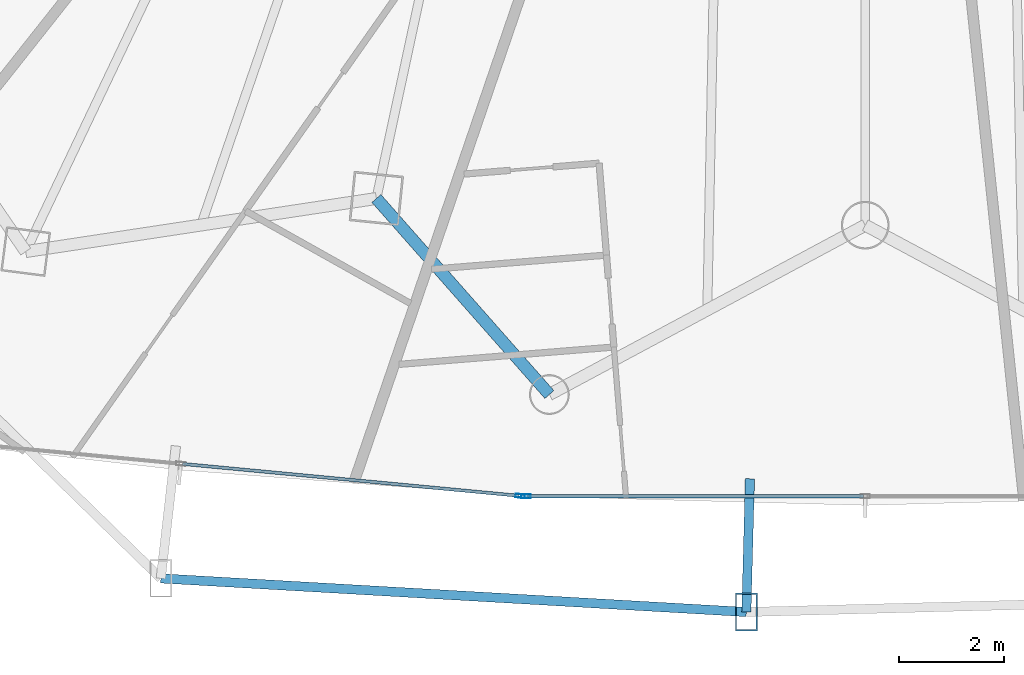
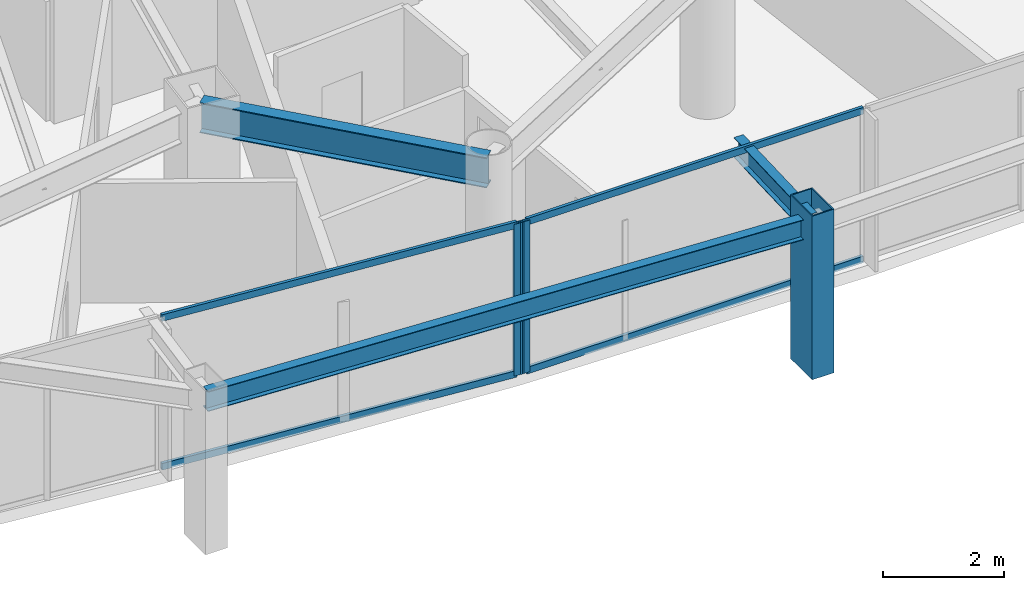
# One storey, part 6 of 37: 7 members, 3 beams, 2 elements without a shape of their own.
"""IFC4 building model written with IfcOpenShell, lengths in metres."""

from ifc_helpers import new_model, si_unit, direction, frame, origin, origin_2d, place, context, subcontext, project, spatial, hollow_rectangle, i_section, extrude, material, layer, layer_set, material_profile, profile_set, type_object, element, aggregate, save


model = new_model("IFC4")

# Units and contexts
model_context = context("Model", 3, precision=1e-05, world=origin(), true_north=direction((0.0, 1.0)))
body_context = subcontext(model_context, "Body", "Model", "MODEL_VIEW")
ifc_project = project(units=[si_unit("LENGTHUNIT", "METRE"), si_unit("AREAUNIT", "SQUARE_METRE"), si_unit("VOLUMEUNIT", "CUBIC_METRE"), si_unit("PLANEANGLEUNIT", "RADIAN"), si_unit("MASSUNIT", "GRAM", prefix="KILO")], contexts=[model_context])

# Site, building, storey
site_placement = place(None, origin())
site = spatial("IfcSite", under=ifc_project, at=site_placement, CompositionType="ELEMENT")
building_placement = place(site_placement, origin())
building = spatial("IfcBuilding", under=site, at=building_placement, Name="Orvanel Arch Residences", CompositionType="ELEMENT")
storey_placement = place(building_placement, frame((0.0, 0.0, 53.300048828125)))
storey = spatial("IfcBuildingStorey", under=building, at=storey_placement, Name="L14", CompositionType="ELEMENT", Elevation=53.300048828125)

# Member
ifc_material_1 = material(Name="Structural steel AS/NZS 3678 Grade 350", Category="steel")
ifc_material_profile_1 = material_profile(ifc_material_1, hollow_rectangle(XDim=0.419921875, YDim=0.719970703125, WallThickness=0.02490234375, at=origin_2d()), Name="RHS720x420x25")
ifc_profile_set_1 = profile_set([ifc_material_profile_1], Name="Structural steel AS/NZS 3678 Grade 350")
member_type_1 = type_object("IfcMemberType", Name="CH-720RHS-EXT", PredefinedType="CHORD", material=ifc_profile_set_1)
member_1_placement = place(storey_placement, frame((30.72607421875, -0.554931640625, 0.0), z_axis=(0.0, 0.0, 1.0), x_axis=(1.0, 0.0, 0.0)))
element("IfcMember", 1, at=member_1_placement, inside=storey, type_object=member_type_1, Name="L14 Outer Perimeter Frame Post 06", PredefinedType="CHORD", context=body_context, shape_type="SweptSolid", body=[
    extrude(hollow_rectangle(XDim=0.419921875, YDim=0.719970703125, WallThickness=0.02490234375, at=origin_2d()), origin(), (0.0, 0.0, 1.0), 3.300048828125),
])

# Curtain wall, member
ifc_material_2 = material(Name="Bronze-anodised aluminium AA6063-T6", Category="aluminium")
ifc_layer = layer(ifc_material_2, 0.179931640625)
ifc_layer_set = layer_set([ifc_layer], Name="Bronze-anodised aluminium AA6063-T6")
curtain_wall_type = type_object("IfcCurtainWallType", Name="CW2-LOW-SYS", PredefinedType="NOTDEFINED", material=ifc_layer_set)
curtain_wall_1_placement = place(storey_placement, origin())
curtain_wall_1 = element("IfcCurtainWall", 2, at=curtain_wall_1_placement, inside=storey, type_object=curtain_wall_type, Name="L14 CW2-LOW-SYS Unitised Curtain Wall", PredefinedType="NOTDEFINED")
ifc_material_profile_2 = material_profile(ifc_material_2, hollow_rectangle(XDim=0.070068359375, YDim=0.179931640625, WallThickness=0.00439453125, at=origin_2d()), Name="ALU180x70x4.5")
ifc_profile_set_2 = profile_set([ifc_material_profile_2], Name="Bronze-anodised aluminium AA6063-T6")
member_type_2 = type_object("IfcMemberType", Name="MUL-180x70", PredefinedType="MULLION", material=ifc_profile_set_2)
member_2_placement = place(storey_placement, frame((26.400146484375, 1.665283203125, 0.0), z_axis=(0.0, 0.0, 1.0), x_axis=(0.094434713682, 0.995531056699, 0.0)))
member_2 = element("IfcMember", 3, at=member_2_placement, type_object=member_type_2, Name="CW-S2 mullion 3", PredefinedType="MULLION", context=body_context, shape_type="SweptSolid", body=[
    extrude(hollow_rectangle(XDim=0.070068359375, YDim=0.179931640625, WallThickness=0.00439453125, at=origin_2d()), origin(), (0.0, 0.0, 1.0), 3.06005859375),
])

curtain_wall_2_placement = place(storey_placement, origin())
curtain_wall_2 = element("IfcCurtainWall", 4, at=curtain_wall_2_placement, inside=storey, type_object=curtain_wall_type, Name="L14 CW2-LOW-SYS Unitised Curtain Wall", PredefinedType="NOTDEFINED")
member_3_placement = place(storey_placement, frame((26.510009765625, 1.659912109375, 0.0), z_axis=(0.0, 0.0, 1.0), x_axis=(0.0, 1.0, 0.0)))
member_3 = element("IfcMember", 5, at=member_3_placement, type_object=member_type_2, Name="CW-S2 mullion 1", PredefinedType="MULLION", context=body_context, shape_type="SweptSolid", body=[
    extrude(hollow_rectangle(XDim=0.070068359375, YDim=0.179931640625, WallThickness=0.00439453125, at=origin_2d()), origin(), (0.0, 0.0, 1.0), 3.06005859375),
])

# Beams
ifc_material_3 = material(Name="Structural steel AS/NZS 3679.1 Grade 300 (300 MPa)", Category="steel")
ifc_material_profile_3 = material_profile(ifc_material_3, i_section(OverallWidth=0.177978515625, OverallDepth=0.406005859375, WebThickness=0.0078125, FlangeThickness=0.0126953125, at=origin_2d()), Name="410UB59.7")
ifc_profile_set_3 = profile_set([ifc_material_profile_3], Name="Structural steel AS/NZS 3679.1 Grade 300 (300 MPa)")
beam_type_1 = type_object("IfcBeamType", Name="OB-410UB-EXT", PredefinedType="SPANDREL", material=ifc_profile_set_3)
beam_1_placement = place(storey_placement, frame((19.52587890625, 0.087890625, 2.85693359375), z_axis=(0.998357031227, -0.057299547982, 0.0), x_axis=(0.057299547982, 0.998357031227, 0.0)))
element("IfcBeam", 6, at=beam_1_placement, inside=storey, type_object=beam_type_1, Name="L14 Outer Perimeter Floor Ring Beam 05", PredefinedType="SPANDREL", context=body_context, shape_type="SweptSolid", body=[
    extrude(i_section(OverallWidth=0.177978515625, OverallDepth=0.406005859375, WebThickness=0.0078125, FlangeThickness=0.0126953125, at=origin_2d()), origin(), (0.0, 0.0, 1.0), 11.218505859375),
])
beam_2_placement = place(storey_placement, frame((30.7939453125, 1.993896484375, 2.85693359375), z_axis=(-0.026618916836, -0.999645653853, 0.0), x_axis=(0.999645653853, -0.026618916836, 0.0)))
element("IfcBeam", 7, at=beam_2_placement, inside=storey, type_object=beam_type_1, Name="L14 Outer Frame Radial Tie Beam 06", PredefinedType="SPANDREL", context=body_context, shape_type="SweptSolid", body=[
    extrude(i_section(OverallWidth=0.177978515625, OverallDepth=0.406005859375, WebThickness=0.0078125, FlangeThickness=0.0126953125, at=origin_2d()), origin(), (0.0, 0.0, 1.0), 2.5498046875),
])
ifc_material_profile_4 = material_profile(ifc_material_3, i_section(OverallWidth=0.22900390625, OverallDepth=0.612060546875, WebThickness=0.011962890625, FlangeThickness=0.01953125, at=origin_2d()), Name="610UB125")
ifc_profile_set_4 = profile_set([ifc_material_profile_4], Name="Structural steel AS/NZS 3679.1 Grade 300 (300 MPa)")
beam_type_2 = type_object("IfcBeamType", Name="SP-610UB", PredefinedType="SPANDREL", material=ifc_profile_set_4)
beam_3_placement = place(storey_placement, frame((23.64892578125, 7.35498046875, 2.75390625), z_axis=(0.661650698195, -0.749812212209, 0.0), x_axis=(0.749812212209, 0.661650698195, 0.0)))
element("IfcBeam", 8, at=beam_3_placement, inside=storey, type_object=beam_type_2, Name="L14 Perimeter Spandrel Beam 05", PredefinedType="SPANDREL", context=body_context, shape_type="SweptSolid", body=[
    extrude(i_section(OverallWidth=0.22900390625, OverallDepth=0.612060546875, WebThickness=0.011962890625, FlangeThickness=0.01953125, at=origin_2d()), origin(), (0.0, 0.0, 1.0), 5.001220703125),
])

# Member
ifc_material_profile_5 = material_profile(ifc_material_2, hollow_rectangle(XDim=0.06005859375, YDim=0.135009765625, WallThickness=0.00390625, at=origin_2d()), Name="ALU135x60x4")
ifc_profile_set_5 = profile_set([ifc_material_profile_5], Name="Bronze-anodised aluminium AA6063-T6")
member_type_3 = type_object("IfcMemberType", Name="TRN-135x60", PredefinedType="USERDEFINED", material=ifc_profile_set_5)
member_4_placement = place(storey_placement, frame((19.9443359375, 2.277587890625, 0.030029296875), z_axis=(0.995533839173, -0.094405376232, 0.0), x_axis=(0.094405376232, 0.995533839173, 0.0)))
member_4 = element("IfcMember", 9, at=member_4_placement, type_object=member_type_3, Name="CW-S2 transom 2.1", ObjectType="TRANSOM", PredefinedType="USERDEFINED", context=body_context, shape_type="SweptSolid", body=[
    extrude(hollow_rectangle(XDim=0.06005859375, YDim=0.135009765625, WallThickness=0.00390625, at=origin_2d()), origin(), (0.0, 0.0, 1.0), 6.44970703125),
])

member_5_placement = place(storey_placement, frame((19.9443359375, 2.277587890625, 3.030029296875), z_axis=(0.995533839173, -0.094405376232, 0.0), x_axis=(0.094405376232, 0.995533839173, 0.0)))
member_5 = element("IfcMember", 10, at=member_5_placement, type_object=member_type_3, Name="CW-S2 transom 2.2", ObjectType="TRANSOM", PredefinedType="USERDEFINED", context=body_context, shape_type="SweptSolid", body=[
    extrude(hollow_rectangle(XDim=0.06005859375, YDim=0.135009765625, WallThickness=0.00390625, at=origin_2d()), origin(), (0.0, 0.0, 1.0), 6.44970703125),
])

aggregate(curtain_wall_1, [member_2, member_4, member_5])

member_6_placement = place(storey_placement, frame((26.544921875, 1.659912109375, 0.030029296875), z_axis=(1.0, 0.0, 0.0), x_axis=(0.0, 1.0, 0.0)))
member_6 = element("IfcMember", 11, at=member_6_placement, type_object=member_type_3, Name="CW-S2 transom 1.1", ObjectType="TRANSOM", PredefinedType="USERDEFINED", context=body_context, shape_type="SweptSolid", body=[
    extrude(hollow_rectangle(XDim=0.06005859375, YDim=0.135009765625, WallThickness=0.00390625, at=origin_2d()), origin(), (0.0, 0.0, 1.0), 6.420166015625),
])

member_7_placement = place(storey_placement, frame((26.544921875, 1.659912109375, 3.030029296875), z_axis=(1.0, 0.0, 0.0), x_axis=(0.0, 1.0, 0.0)))
member_7 = element("IfcMember", 12, at=member_7_placement, type_object=member_type_3, Name="CW-S2 transom 1.2", ObjectType="TRANSOM", PredefinedType="USERDEFINED", context=body_context, shape_type="SweptSolid", body=[
    extrude(hollow_rectangle(XDim=0.06005859375, YDim=0.135009765625, WallThickness=0.00390625, at=origin_2d()), origin(), (0.0, 0.0, 1.0), 6.420166015625),
])

aggregate(curtain_wall_2, [member_3, member_6, member_7])

save(model, "model.ifc")
